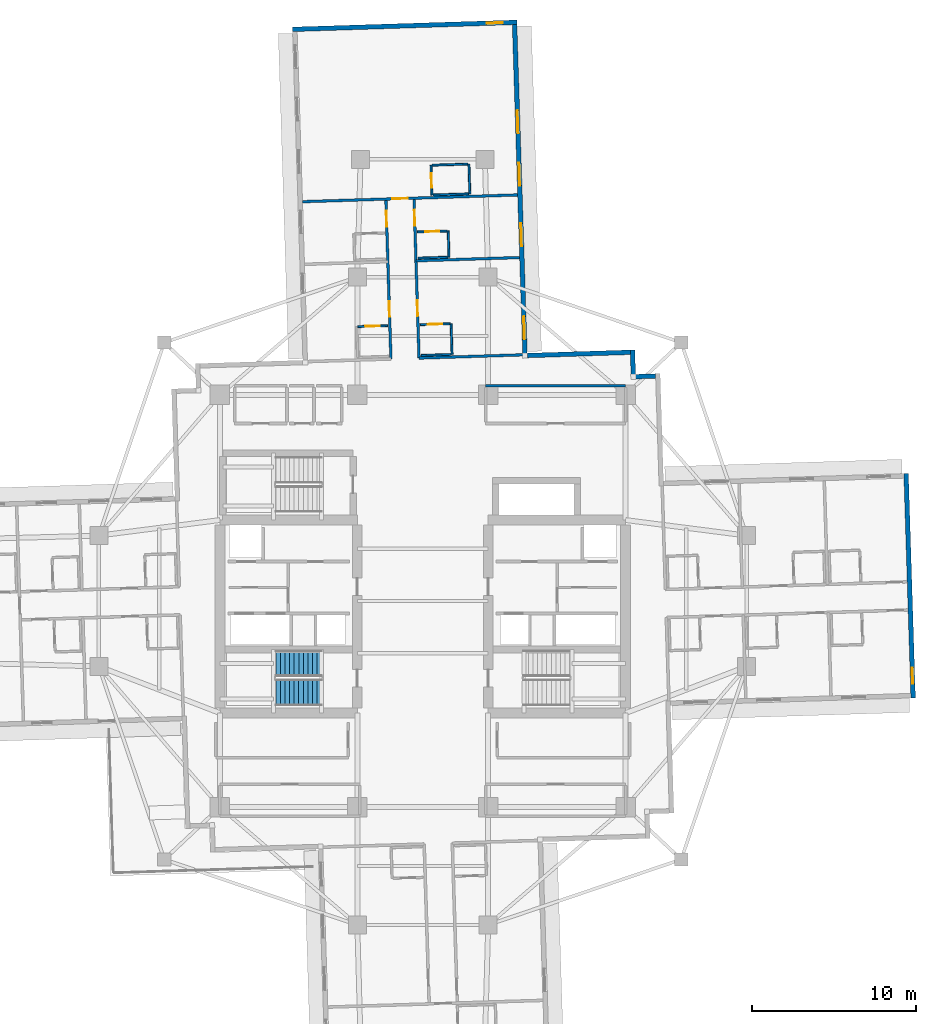
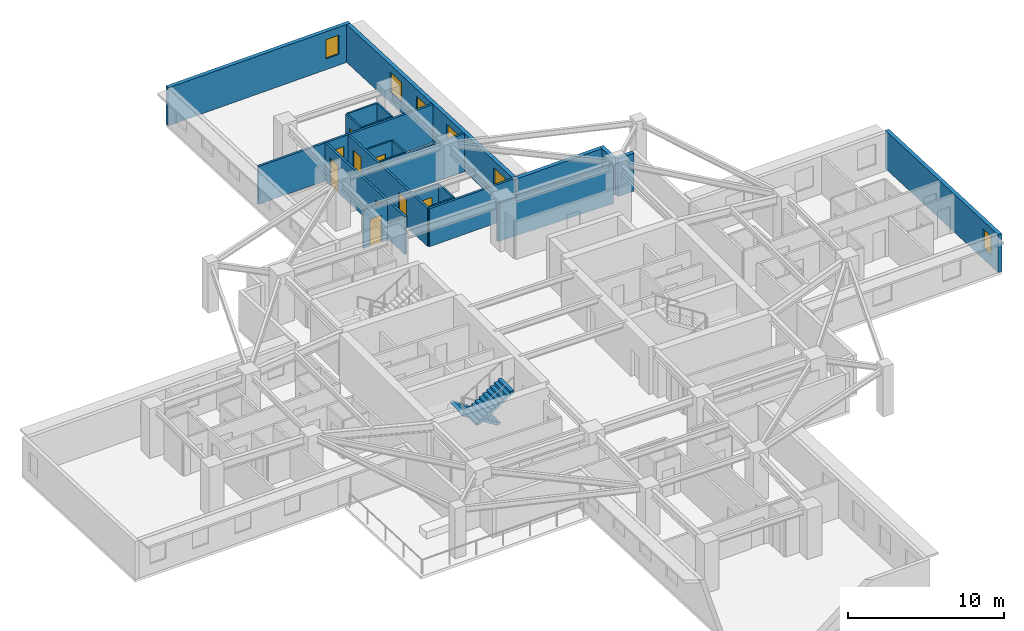
# One storey, part 8 of 14: 23 walls, 9 doors, 6 windows, 2 stair flights, 15 openings, 1 element without a shape of its own.
"""IFC4 building model written with IfcOpenShell, lengths in metres."""

import ifcopenshell
import ifcopenshell.guid

model = None  # the IFC model being written
_history = None  # IfcOwnerHistory: only IFC2X3 demands one
_inside = {}  # id of a spatial element -> (the spatial element, [elements in it])
_under = {}  # id of a project, library or spatial element -> (it, [spatial elements below it])
_declared = {}  # id of a project -> (the project, [libraries it declares])
_typed = {}  # id of a type object -> (the type object, [elements of that type])
_made_of = {}  # id of a material, layer set ... -> (it, [elements and type objects made of it])


def new_model(schema):
    """Start an empty IFC model of exactly this schema.

    Asked for "IFC4X3", IfcOpenShell would pick the latest addendum, in which some entities
    have other attributes; the version numbers below select the first issue.
    IFC2X3 requires an IfcOwnerHistory on every rooted entity: one is made here for all.
    """
    global model, _history
    if schema == "IFC4X3":
        model = ifcopenshell.file(schema_version=(4, 3, 0, 0))
    else:
        model = ifcopenshell.file(schema=schema)
    _inside.clear()
    _under.clear()
    _declared.clear()
    _typed.clear()
    _made_of.clear()
    _history = None
    if model.schema == "IFC2X3":
        org = make("IfcOrganization", Name="unknown")
        user = make(
            "IfcPersonAndOrganization",
            ThePerson=make("IfcPerson", FamilyName="unknown"),
            TheOrganization=org,
        )
        app = make(
            "IfcApplication",
            ApplicationDeveloper=org,
            Version="unknown",
            ApplicationFullName="unknown",
            ApplicationIdentifier="unknown",
        )
        _history = make(
            "IfcOwnerHistory",
            OwningUser=user,
            OwningApplication=app,
            ChangeAction="ADDED",
            CreationDate=0,
        )
    return model


def make(cls, **values):
    """One entity of the class cls with the attributes given. An attribute that is None is left unset."""
    return model.create_entity(
        cls, **{name: value for name, value in values.items() if value is not None}
    )


def rooted(cls, **values):
    """An entity with a GlobalId (a new one), such as an element, a storey or a relation."""
    return make(cls, GlobalId=ifcopenshell.guid.new(), OwnerHistory=_history, **values)


def si_unit(unit_type, name, prefix=None):
    """IfcSIUnit, for example si_unit("LENGTHUNIT", "METRE", prefix="MILLI")."""
    return make("IfcSIUnit", UnitType=unit_type, Prefix=prefix, Name=name)


def assignment(units):
    """IfcUnitAssignment: the units of a project."""
    return None if units is None else make("IfcUnitAssignment", Units=units)


def point(xyz):
    """IfcCartesianPoint."""
    return None if xyz is None else make("IfcCartesianPoint", Coordinates=xyz)


def direction(xyz):
    """IfcDirection."""
    return None if xyz is None else make("IfcDirection", DirectionRatios=xyz)


def frame(location, z_axis=None, x_axis=None):
    """IfcAxis2Placement3D, a coordinate frame: its origin and axes. An axis left out is left unset."""
    return make(
        "IfcAxis2Placement3D",
        Location=point(location),
        Axis=direction(z_axis),
        RefDirection=direction(x_axis),
    )


def frame_2d(location, x_axis=None):
    """IfcAxis2Placement2D, a coordinate frame in the plane: its origin and x axis."""
    return make(
        "IfcAxis2Placement2D", Location=point(location), RefDirection=direction(x_axis)
    )


def origin():
    """The frame at (0, 0, 0) with its axes left unset."""
    return frame((0.0, 0.0, 0.0))


def place(relative_to, where):
    """IfcLocalPlacement: puts the frame where relative to a parent placement (None: the world)."""
    return make(
        "IfcLocalPlacement", PlacementRelTo=relative_to, RelativePlacement=where
    )


def context(
    kind, dimensions, precision=None, world=None, true_north=None, identifier=None
):
    """IfcGeometricRepresentationContext, for example the 3D "Model" context."""
    return make(
        "IfcGeometricRepresentationContext",
        ContextIdentifier=identifier,
        ContextType=kind,
        CoordinateSpaceDimension=dimensions,
        Precision=precision,
        WorldCoordinateSystem=world,
        TrueNorth=true_north,
    )


def subcontext(parent, identifier, kind, view, scale=None):
    """IfcGeometricRepresentationSubContext, for example "Body" below "Model"."""
    return make(
        "IfcGeometricRepresentationSubContext",
        ContextIdentifier=identifier,
        ContextType=kind,
        ParentContext=parent,
        TargetScale=scale,
        TargetView=view,
    )


def project(units=None, contexts=None):
    """IfcProject with its units and contexts."""
    return rooted(
        "IfcProject",
        Name="project",
        RepresentationContexts=contexts,
        UnitsInContext=assignment(units),
    )


def spatial(cls, under=None, at=None, **own):
    """A site, building, storey or space (cls), placed at a placement, below another one or the project."""
    s = rooted(cls, ObjectPlacement=at, **own)
    if under is not None:
        _under.setdefault(under.id(), (under, []))[1].append(s)
    return s


def polyline(points):
    """IfcPolyline through the points."""
    return make("IfcPolyline", Points=[point(p) for p in points])


def profile(cls, at=None, kind="AREA", **sizes):
    """A parametric profile (cls). Its sizes go by their IFC names, for example OverallWidth=200.0."""
    return make(cls, ProfileType=kind, Position=at, **sizes)


def rectangle(**sizes):
    """IfcRectangleProfileDef."""
    return profile("IfcRectangleProfileDef", **sizes)


def outline(outer, holes=None, kind="AREA"):
    """IfcArbitraryClosedProfileDef: a profile drawn as a closed curve; with holes, ...WithVoids."""
    if holes is None:
        return make("IfcArbitraryClosedProfileDef", ProfileType=kind, OuterCurve=outer)
    return make(
        "IfcArbitraryProfileDefWithVoids",
        ProfileType=kind,
        OuterCurve=outer,
        InnerCurves=holes,
    )


def extrude(swept, where, along, depth):
    """IfcExtrudedAreaSolid: the profile swept, set in the frame where, extruded along a direction by depth."""
    return make(
        "IfcExtrudedAreaSolid",
        SweptArea=swept,
        Position=where,
        ExtrudedDirection=direction(along),
        Depth=depth,
    )


def shape(context_of_items, identifier, shape_type, items):
    """IfcShapeRepresentation: the items that make up one representation, for example the "Body"."""
    return make(
        "IfcShapeRepresentation",
        ContextOfItems=context_of_items,
        RepresentationIdentifier=identifier,
        RepresentationType=shape_type,
        Items=items,
    )


def material(Name=None, Category=None):
    """IfcMaterial."""
    return make("IfcMaterial", Name=Name, Category=Category)


def layer(
    of_material, thickness, ventilated=None, Name=None, Category=None, Priority=None
):
    """IfcMaterialLayer: one layer of a wall or slab, of a material (None: an air gap)."""
    return make(
        "IfcMaterialLayer",
        Material=of_material,
        LayerThickness=thickness,
        IsVentilated=ventilated,
        Name=Name,
        Category=Category,
        Priority=Priority,
    )


def layer_set(layers, Name=None):
    """IfcMaterialLayerSet."""
    return make("IfcMaterialLayerSet", MaterialLayers=layers, LayerSetName=Name)


def made_of(thing, what):
    """Note that an element or type object is made of a material, layer set ...; save() writes the relation."""
    if what is not None:
        _made_of.setdefault(what.id(), (what, []))[1].append(thing)
    return thing


def type_object(cls, material=None, **own):
    """A type object (cls), such as IfcWallType, which elements share."""
    return made_of(rooted(cls, **own), material)


def element(
    cls,
    number,
    at=None,
    inside=None,
    cuts=None,
    type_object=None,
    material=None,
    context=None,
    identifier="Body",
    shape_type=None,
    held_by="IfcProductDefinitionShape",
    body=None,
    shapes=None,
    **own,
):
    """One element of the class cls, such as IfcWall. Its Tag is "e" and its number.

    at: its placement. inside: the storey or other place that contains it. cuts: it is an
    opening in that element (IfcRelVoidsElement). A single representation is given by context,
    identifier, shape_type and body (its items); several are given by shapes. held_by: the class
    of the entity that holds the representations. save() writes the other relations.
    """
    e = rooted(cls, Tag="e%d" % number, ObjectPlacement=at, **own)
    if body is not None:
        shapes = [shape(context, identifier, shape_type, body)]
    if shapes is not None:
        e.Representation = make(held_by, Representations=shapes)
    if inside is not None:
        _inside.setdefault(inside.id(), (inside, []))[1].append(e)
    if cuts is not None:
        rooted(
            "IfcRelVoidsElement", RelatingBuildingElement=cuts, RelatedOpeningElement=e
        )
    if type_object is not None:
        _typed.setdefault(type_object.id(), (type_object, []))[1].append(e)
    return made_of(e, material)


def fill(opening, filler):
    """IfcRelFillsElement: the door or window that sits in an opening."""
    return rooted(
        "IfcRelFillsElement",
        RelatingOpeningElement=opening,
        RelatedBuildingElement=filler,
    )


def aggregate(whole, parts):
    """IfcRelAggregates: a whole, such as a stair, and the parts it consists of."""
    return rooted("IfcRelAggregates", RelatingObject=whole, RelatedObjects=parts)


def save(model, path):
    """Write the relations noted so far, then the file.

    IfcRelAggregates (storeys below a building ...), IfcRelContainedInSpatialStructure (elements
    in a storey), IfcRelDefinesByType, IfcRelAssociatesMaterial and IfcRelDeclares: one each for
    every whole, place, type object, material and project.
    """
    for whole, parts in _under.values():
        aggregate(whole, parts)
    for where, things in _inside.values():
        rooted(
            "IfcRelContainedInSpatialStructure",
            RelatedElements=things,
            RelatingStructure=where,
        )
    for kind, things in _typed.values():
        rooted("IfcRelDefinesByType", RelatedObjects=things, RelatingType=kind)
    for what, things in _made_of.values():
        rooted("IfcRelAssociatesMaterial", RelatedObjects=things, RelatingMaterial=what)
    for by, libraries in _declared.values():
        rooted("IfcRelDeclares", RelatingContext=by, RelatedDefinitions=libraries)
    model.write(path)


model = new_model("IFC4")

# Units and contexts
model_context = context("Model", 3, precision=1e-05, world=origin(), true_north=direction((0.0, 1.0)))
body_context = subcontext(model_context, "Body", "Model", "MODEL_VIEW")
ifc_project = project(units=[si_unit("LENGTHUNIT", "METRE"), si_unit("AREAUNIT", "SQUARE_METRE"), si_unit("VOLUMEUNIT", "CUBIC_METRE"), si_unit("PLANEANGLEUNIT", "RADIAN"), si_unit("MASSUNIT", "GRAM", prefix="KILO")], contexts=[model_context])

# Site, building, storey
site_placement = place(None, origin())
site = spatial("IfcSite", under=ifc_project, at=site_placement, CompositionType="ELEMENT")
building_placement = place(site_placement, origin())
building = spatial("IfcBuilding", under=site, at=building_placement, Name="Qingluan Cross Belvedere", CompositionType="ELEMENT")
storey_placement = place(building_placement, frame((0.0, 0.0, 112.5)))
storey = spatial("IfcBuildingStorey", under=building, at=storey_placement, Name="L28", CompositionType="ELEMENT", Elevation=112.5)

# Wall
ifc_material_1 = material(Name="Gypsum plasterboard on steel stud acoustic partition", Category="steel")
ifc_layer_1 = layer(ifc_material_1, 0.159912109375, Name="CorridorPartition_160")
ifc_layer_set_1 = layer_set([ifc_layer_1], Name="Gypsum plasterboard on steel stud acoustic partition")
wall_type_1 = type_object("IfcWallType", Name="CorridorPartition_160", PredefinedType="PARTITIONING", material=ifc_layer_set_1)
wall_1_placement = place(storey_placement, frame((3.85009765625, 13.14990234375, 0.0), z_axis=(0.0, 0.0, 1.0), x_axis=(1.0, 0.0, 0.0)))
element("IfcWall", 1, at=wall_1_placement, inside=storey, type_object=wall_type_1, Name="Partition L28:q_ne:N", PredefinedType="PARTITIONING", context=body_context, shape_type="SweptSolid", body=[
    extrude(rectangle(XDim=8.5498046875, YDim=0.159912109375, at=frame_2d((4.27490234375, 0.0))), origin(), (0.0, 0.0, 1.0), 2.9599609375),
])

# Wall, openings, doors
wall_2_placement = place(storey_placement, frame((-0.2265625, 14.85009765625, 0.0), z_axis=(0.0, 0.0, 1.0), x_axis=(-0.031410762168, 0.999506560269, 0.0)))
wall_2 = element("IfcWall", 2, at=wall_2_placement, inside=storey, type_object=wall_type_1, Name="Partition L28:N:c0", PredefinedType="PARTITIONING", context=body_context, shape_type="SweptSolid", body=[
    extrude(rectangle(XDim=9.7001953125, YDim=0.159912109375, at=frame_2d((4.85009765625, 0.0))), origin(), (0.0, 0.0, 1.0), 2.9599609375),
])
opening_1_placement = place(wall_2_placement, frame((2.574951171875, 0.0, 0.0)))
opening_1 = element("IfcOpeningElement", 3, at=opening_1_placement, cuts=wall_2, Name="Opening GD-10", PredefinedType="OPENING", context=body_context, shape_type="SweptSolid", body=[
    extrude(rectangle(XDim=0.9599609375, YDim=2.14990234375, at=frame_2d((0.47998046875, 1.074951171875))), frame((0.0, 0.08984375, 0.0), z_axis=(0.0, -1.0, 0.0), x_axis=(1.0, 0.0, 0.0)), (0.0, 0.0, 1.0), 0.179931640625),
])
opening_2_placement = place(wall_2_placement, frame((8.096923828125, 0.0, 0.0)))
opening_2 = element("IfcOpeningElement", 4, at=opening_2_placement, cuts=wall_2, Name="Opening GD-10", PredefinedType="OPENING", context=body_context, shape_type="SweptSolid", body=[
    extrude(rectangle(XDim=0.9599609375, YDim=2.14990234375, at=frame_2d((0.47998046875, 1.074951171875))), frame((0.0, 0.08984375, 0.0), z_axis=(0.0, -1.0, 0.0), x_axis=(1.0, 0.0, 0.0)), (0.0, 0.0, 1.0), 0.179931640625),
])
ifc_material_2 = material(Name="Timber oak fire-rated acoustic guestroom door", Category="wood")
door_type_1 = type_object("IfcDoorType", Name="GuestEntryDoor_FD60", OperationType="NOTDEFINED", PredefinedType="DOOR", material=ifc_material_2)
door_1_placement = place(opening_1_placement, origin())
door_1 = element("IfcDoor", 5, at=door_1_placement, inside=storey, type_object=door_type_1, Name="Guest entry fire door 2811", OperationType="SINGLE_SWING_RIGHT", OverallHeight=2.14990234375, OverallWidth=0.9599609375, PredefinedType="DOOR", context=body_context, shape_type="SweptSolid", body=[
    extrude(rectangle(XDim=0.9599609375, YDim=2.14990234375, at=frame_2d((0.47998046875, 1.074951171875))), frame((0.0, 0.02490234375, 0.0), z_axis=(0.0, -1.0, 0.0), x_axis=(1.0, 0.0, 0.0)), (0.0, 0.0, 1.0), 0.050048828125),
])
fill(opening_1, door_1)
door_2_placement = place(opening_2_placement, origin())
door_2 = element("IfcDoor", 6, at=door_2_placement, inside=storey, type_object=door_type_1, Name="Guest entry fire door 2812", OperationType="SINGLE_SWING_RIGHT", OverallHeight=2.14990234375, OverallWidth=0.9599609375, PredefinedType="DOOR", context=body_context, shape_type="SweptSolid", body=[
    extrude(rectangle(XDim=0.9599609375, YDim=2.14990234375, at=frame_2d((0.47998046875, 1.074951171875))), frame((0.0, 0.02490234375, 0.0), z_axis=(0.0, -1.0, 0.0), x_axis=(1.0, 0.0, 0.0)), (0.0, 0.0, 1.0), 0.050048828125),
])
fill(opening_2, door_2)

# Walls
wall_3_placement = place(storey_placement, frame((-0.2265625, 14.85009765625, 0.0), z_axis=(0.0, 0.0, 1.0), x_axis=(0.999506214218, 0.031421771746, 0.0)))
element("IfcWall", 7, at=wall_3_placement, inside=storey, type_object=wall_type_1, Name="Partition L28:N:s0", PredefinedType="PARTITIONING", context=body_context, shape_type="SweptSolid", body=[
    extrude(rectangle(XDim=6.47998046875, YDim=0.159912109375, at=frame_2d((3.239990234375, 0.0))), origin(), (0.0, 0.0, 1.0), 2.9599609375),
])
wall_4_placement = place(storey_placement, frame((-0.41357421875, 20.79736328125, 0.0), z_axis=(0.0, 0.0, 1.0), x_axis=(0.999507362715, 0.0313852175, 0.0)))
element("IfcWall", 8, at=wall_4_placement, inside=storey, type_object=wall_type_1, Name="Partition L28:N:d0_0", PredefinedType="PARTITIONING", context=body_context, shape_type="SweptSolid", body=[
    extrude(rectangle(XDim=6.33203125, YDim=0.159912109375, at=frame_2d((3.166015625, 0.0))), origin(), (0.0, 0.0, 1.0), 2.9599609375),
])

# Wall, openings, doors
wall_5_placement = place(storey_placement, frame((-1.94580078125, 14.796142578125, 0.0), z_axis=(0.0, 0.0, 1.0), x_axis=(-0.031410762168, 0.999506560269, 0.0)))
wall_5 = element("IfcWall", 9, at=wall_5_placement, inside=storey, type_object=wall_type_1, Name="Partition L28:N:c1", PredefinedType="PARTITIONING", context=body_context, shape_type="SweptSolid", body=[
    extrude(rectangle(XDim=9.7001953125, YDim=0.159912109375, at=frame_2d((4.85009765625, 0.0))), origin(), (0.0, 0.0, 1.0), 2.9599609375),
])
opening_3_placement = place(wall_5_placement, frame((2.574951171875, 0.0, 0.0)))
opening_3 = element("IfcOpeningElement", 10, at=opening_3_placement, cuts=wall_5, Name="Opening GD-10", PredefinedType="OPENING", context=body_context, shape_type="SweptSolid", body=[
    extrude(rectangle(XDim=0.9599609375, YDim=2.14990234375, at=frame_2d((0.47998046875, 1.074951171875))), frame((0.0, 0.08984375, 0.0), z_axis=(0.0, -1.0, 0.0), x_axis=(1.0, 0.0, 0.0)), (0.0, 0.0, 1.0), 0.179931640625),
])
opening_4_placement = place(wall_5_placement, frame((8.096923828125, 0.0, 0.0)))
opening_4 = element("IfcOpeningElement", 11, at=opening_4_placement, cuts=wall_5, Name="Opening GD-10", PredefinedType="OPENING", context=body_context, shape_type="SweptSolid", body=[
    extrude(rectangle(XDim=0.9599609375, YDim=2.14990234375, at=frame_2d((0.47998046875, 1.074951171875))), frame((0.0, 0.08984375, 0.0), z_axis=(0.0, -1.0, 0.0), x_axis=(1.0, 0.0, 0.0)), (0.0, 0.0, 1.0), 0.179931640625),
])
door_3_placement = place(opening_3_placement, origin())
door_3 = element("IfcDoor", 12, at=door_3_placement, inside=storey, type_object=door_type_1, Name="Guest entry fire door 2813", OperationType="SINGLE_SWING_RIGHT", OverallHeight=2.14990234375, OverallWidth=0.9599609375, PredefinedType="DOOR", context=body_context, shape_type="SweptSolid", body=[
    extrude(rectangle(XDim=0.9599609375, YDim=2.14990234375, at=frame_2d((0.47998046875, 1.074951171875))), frame((0.0, 0.02490234375, 0.0), z_axis=(0.0, -1.0, 0.0), x_axis=(1.0, 0.0, 0.0)), (0.0, 0.0, 1.0), 0.050048828125),
])
fill(opening_3, door_3)
door_4_placement = place(opening_4_placement, origin())
door_4 = element("IfcDoor", 13, at=door_4_placement, inside=storey, type_object=door_type_1, Name="Guest entry fire door 2814", OperationType="SINGLE_SWING_RIGHT", OverallHeight=2.14990234375, OverallWidth=0.9599609375, PredefinedType="DOOR", context=body_context, shape_type="SweptSolid", body=[
    extrude(rectangle(XDim=0.9599609375, YDim=2.14990234375, at=frame_2d((0.47998046875, 1.074951171875))), frame((0.0, 0.02490234375, 0.0), z_axis=(0.0, -1.0, 0.0), x_axis=(1.0, 0.0, 0.0)), (0.0, 0.0, 1.0), 0.050048828125),
])
fill(opening_4, door_4)

# Wall, opening, door
wall_6_placement = place(storey_placement, frame((-7.34228515625, 24.411376953125, 0.0), z_axis=(0.0, 0.0, 1.0), x_axis=(0.999506606318, 0.031409296822, 0.0)))
wall_6 = element("IfcWall", 14, at=wall_6_placement, inside=storey, type_object=wall_type_1, Name="Partition L28:Ncap:in", PredefinedType="PARTITIONING", context=body_context, shape_type="SweptSolid", body=[
    extrude(rectangle(XDim=13.14404296875, YDim=0.159912109375, at=frame_2d((6.572021484375, 0.0))), origin(), (0.0, 0.0, 1.0), 2.9599609375),
])
opening_5_placement = place(wall_6_placement, frame((5.471923828125, 0.0, 0.0)))
opening_5 = element("IfcOpeningElement", 15, at=opening_5_placement, cuts=wall_6, Name="Opening GD-10", PredefinedType="OPENING", context=body_context, shape_type="SweptSolid", body=[
    extrude(rectangle(XDim=0.9599609375, YDim=2.14990234375, at=frame_2d((0.47998046875, 1.074951171875))), frame((0.0, 0.08984375, 0.0), z_axis=(0.0, -1.0, 0.0), x_axis=(1.0, 0.0, 0.0)), (0.0, 0.0, 1.0), 0.179931640625),
])
door_5_placement = place(opening_5_placement, origin())
door_5 = element("IfcDoor", 16, at=door_5_placement, inside=storey, type_object=door_type_1, Name="Presidential suite entrance door L28N", OperationType="SINGLE_SWING_LEFT", OverallHeight=2.14990234375, OverallWidth=0.9599609375, PredefinedType="DOOR", context=body_context, shape_type="SweptSolid", body=[
    extrude(rectangle(XDim=0.9599609375, YDim=2.14990234375, at=frame_2d((0.47998046875, 1.074951171875))), frame((0.0, 0.02490234375, 0.0), z_axis=(0.0, -1.0, 0.0), x_axis=(1.0, 0.0, 0.0)), (0.0, 0.0, 1.0), 0.050048828125),
])
fill(opening_5, door_5)

ifc_material_3 = material(Name="Moisture-resistant gypsum board lining")
ifc_layer_2 = layer(ifc_material_3, 0.1201171875, Name="EnsuiteWetPartition_120")
ifc_layer_set_2 = layer_set([ifc_layer_2], Name="Moisture-resistant gypsum board lining")
wall_type_2 = type_object("IfcWallType", Name="EnsuiteWetPartition_120", PredefinedType="PARTITIONING", material=ifc_layer_set_2)
wall_7_placement = place(storey_placement, frame((-0.150634765625, 16.8935546875, 0.0), z_axis=(0.0, 0.0, 1.0), x_axis=(0.999507221803, 0.031389704724, 0.0)))
wall_7 = element("IfcWall", 17, at=wall_7_placement, inside=storey, type_object=wall_type_2, Name="Partition L28:N:bs0_0", PredefinedType="PARTITIONING", context=body_context, shape_type="SweptSolid", body=[
    extrude(rectangle(XDim=1.820068359375, YDim=0.1201171875, at=frame_2d((0.91015625, 0.0))), origin(), (0.0, 0.0, 1.0), 2.9599609375),
])
opening_6_placement = place(wall_7_placement, frame((0.469970703125, 0.0, 0.0)))
opening_6 = element("IfcOpeningElement", 18, at=opening_6_placement, cuts=wall_7, Name="Opening BD-09", PredefinedType="OPENING", context=body_context, shape_type="SweptSolid", body=[
    extrude(rectangle(XDim=0.8798828125, YDim=2.10009765625, at=frame_2d((0.43994140625, 1.050048828125))), frame((0.0, 0.070068359375, 0.0), z_axis=(0.0, -1.0, 0.0), x_axis=(1.0, 0.0, 0.0)), (0.0, 0.0, 1.0), 0.14013671875),
])
ifc_material_4 = material(Name="Moisture-sealed timber en-suite door", Category="wood")
door_type_2 = type_object("IfcDoorType", Name="BathroomDoor_880", OperationType="NOTDEFINED", PredefinedType="DOOR", material=ifc_material_4)
door_6_placement = place(opening_6_placement, origin())
door_6 = element("IfcDoor", 19, at=door_6_placement, inside=storey, type_object=door_type_2, Name="Bathroom door 2811", OperationType="SINGLE_SWING_LEFT", OverallHeight=2.10009765625, OverallWidth=0.8798828125, PredefinedType="DOOR", context=body_context, shape_type="SweptSolid", body=[
    extrude(rectangle(XDim=0.8798828125, YDim=2.10009765625, at=frame_2d((0.43994140625, 1.050048828125))), frame((0.0, 0.02490234375, 0.0), z_axis=(0.0, -1.0, 0.0), x_axis=(1.0, 0.0, 0.0)), (0.0, 0.0, 1.0), 0.050048828125),
])
fill(opening_6, door_6)

# Walls
wall_8_placement = place(storey_placement, frame((-0.091796875, 15.014404296875, 0.0), z_axis=(0.0, 0.0, 1.0), x_axis=(0.999503004171, 0.03152371574, 0.0)))
element("IfcWall", 20, at=wall_8_placement, inside=storey, type_object=wall_type_2, Name="Partition L28:N:bw0_0", PredefinedType="PARTITIONING", context=body_context, shape_type="SweptSolid", body=[
    extrude(rectangle(XDim=1.820068359375, YDim=0.1201171875, at=frame_2d((0.91015625, 0.0))), origin(), (0.0, 0.0, 1.0), 2.9599609375),
])
wall_9_placement = place(storey_placement, frame((1.79248046875, 15.07373046875, 0.0), z_axis=(0.0, 0.0, 1.0), x_axis=(-0.031425292588, 0.999506103526, 0.0)))
element("IfcWall", 21, at=wall_9_placement, inside=storey, type_object=wall_type_2, Name="Partition L28:N:bn0_0", PredefinedType="PARTITIONING", context=body_context, shape_type="SweptSolid", body=[
    extrude(rectangle(XDim=1.880126953125, YDim=0.1201171875, at=frame_2d((0.93994140625, 0.0))), origin(), (0.0, 0.0, 1.0), 2.9599609375),
])

# Wall, opening, door
wall_10_placement = place(storey_placement, frame((-0.328857421875, 22.560791015625, 0.0), z_axis=(0.0, 0.0, 1.0), x_axis=(0.999507221803, 0.031389704724, 0.0)))
wall_10 = element("IfcWall", 22, at=wall_10_placement, inside=storey, type_object=wall_type_2, Name="Partition L28:N:bs0_1", PredefinedType="PARTITIONING", context=body_context, shape_type="SweptSolid", body=[
    extrude(rectangle(XDim=1.820068359375, YDim=0.1201171875, at=frame_2d((0.91015625, 0.0))), origin(), (0.0, 0.0, 1.0), 2.9599609375),
])
opening_7_placement = place(wall_10_placement, frame((0.469970703125, 0.0, 0.0)))
opening_7 = element("IfcOpeningElement", 23, at=opening_7_placement, cuts=wall_10, Name="Opening BD-09", PredefinedType="OPENING", context=body_context, shape_type="SweptSolid", body=[
    extrude(rectangle(XDim=0.8798828125, YDim=2.10009765625, at=frame_2d((0.43994140625, 1.050048828125))), frame((0.0, 0.070068359375, 0.0), z_axis=(0.0, -1.0, 0.0), x_axis=(1.0, 0.0, 0.0)), (0.0, 0.0, 1.0), 0.14013671875),
])
door_7_placement = place(opening_7_placement, origin())
door_7 = element("IfcDoor", 24, at=door_7_placement, inside=storey, type_object=door_type_2, Name="Bathroom door 2812", OperationType="SINGLE_SWING_LEFT", OverallHeight=2.10009765625, OverallWidth=0.8798828125, PredefinedType="DOOR", context=body_context, shape_type="SweptSolid", body=[
    extrude(rectangle(XDim=0.8798828125, YDim=2.10009765625, at=frame_2d((0.43994140625, 1.050048828125))), frame((0.0, 0.02490234375, 0.0), z_axis=(0.0, -1.0, 0.0), x_axis=(1.0, 0.0, 0.0)), (0.0, 0.0, 1.0), 0.050048828125),
])
fill(opening_7, door_7)

# Walls
wall_11_placement = place(storey_placement, frame((-0.278564453125, 20.961669921875, 0.0), z_axis=(0.0, 0.0, 1.0), x_axis=(0.999507221803, 0.031389704724, 0.0)))
element("IfcWall", 25, at=wall_11_placement, inside=storey, type_object=wall_type_2, Name="Partition L28:N:bw0_1", PredefinedType="PARTITIONING", context=body_context, shape_type="SweptSolid", body=[
    extrude(rectangle(XDim=1.820068359375, YDim=0.1201171875, at=frame_2d((0.91015625, 0.0))), origin(), (0.0, 0.0, 1.0), 2.9599609375),
])
wall_12_placement = place(storey_placement, frame((1.60546875, 21.020751953125, 0.0), z_axis=(0.0, 0.0, 1.0), x_axis=(-0.031277621856, 0.999510735496, 0.0)))
element("IfcWall", 26, at=wall_12_placement, inside=storey, type_object=wall_type_2, Name="Partition L28:N:bn0_1", PredefinedType="PARTITIONING", context=body_context, shape_type="SweptSolid", body=[
    extrude(rectangle(XDim=1.60009765625, YDim=0.1201171875, at=frame_2d((0.800048828125, 0.0))), origin(), (0.0, 0.0, 1.0), 2.9599609375),
])

# Wall, opening, door
wall_13_placement = place(storey_placement, frame((-3.96875, 16.773681640625, 0.0), z_axis=(0.0, 0.0, 1.0), x_axis=(0.999507221803, 0.031389704724, 0.0)))
wall_13 = element("IfcWall", 27, at=wall_13_placement, inside=storey, type_object=wall_type_2, Name="Partition L28:N:bs1_0", PredefinedType="PARTITIONING", context=body_context, shape_type="SweptSolid", body=[
    extrude(rectangle(XDim=1.820068359375, YDim=0.1201171875, at=frame_2d((0.91015625, 0.0))), origin(), (0.0, 0.0, 1.0), 2.9599609375),
])
opening_8_placement = place(wall_13_placement, frame((0.469970703125, 0.0, 0.0)))
opening_8 = element("IfcOpeningElement", 28, at=opening_8_placement, cuts=wall_13, Name="Opening BD-09", PredefinedType="OPENING", context=body_context, shape_type="SweptSolid", body=[
    extrude(rectangle(XDim=0.8798828125, YDim=2.10009765625, at=frame_2d((0.43994140625, 1.050048828125))), frame((0.0, 0.070068359375, 0.0), z_axis=(0.0, -1.0, 0.0), x_axis=(1.0, 0.0, 0.0)), (0.0, 0.0, 1.0), 0.14013671875),
])
door_8_placement = place(opening_8_placement, origin())
door_8 = element("IfcDoor", 29, at=door_8_placement, inside=storey, type_object=door_type_2, Name="Bathroom door 2813", OperationType="SINGLE_SWING_LEFT", OverallHeight=2.10009765625, OverallWidth=0.8798828125, PredefinedType="DOOR", context=body_context, shape_type="SweptSolid", body=[
    extrude(rectangle(XDim=0.8798828125, YDim=2.10009765625, at=frame_2d((0.43994140625, 1.050048828125))), frame((0.0, 0.02490234375, 0.0), z_axis=(0.0, -1.0, 0.0), x_axis=(1.0, 0.0, 0.0)), (0.0, 0.0, 1.0), 0.050048828125),
])
fill(opening_8, door_8)

wall_14_placement = place(storey_placement, frame((0.560791015625, 24.81982421875, 0.0), z_axis=(0.0, 0.0, 1.0), x_axis=(-0.03152371574, 0.999503004171, 0.0)))
wall_14 = element("IfcWall", 30, at=wall_14_placement, inside=storey, type_object=wall_type_2, Name="Partition L28:Ncap:bs", PredefinedType="PARTITIONING", context=body_context, shape_type="SweptSolid", body=[
    extrude(rectangle(XDim=1.820068359375, YDim=0.1201171875, at=frame_2d((0.91015625, 0.0))), origin(), (0.0, 0.0, 1.0), 2.9599609375),
])
opening_9_placement = place(wall_14_placement, frame((0.449951171875, 0.0, 0.0)))
opening_9 = element("IfcOpeningElement", 31, at=opening_9_placement, cuts=wall_14, Name="Opening BD-09", PredefinedType="OPENING", context=body_context, shape_type="SweptSolid", body=[
    extrude(rectangle(XDim=0.8798828125, YDim=2.10009765625, at=frame_2d((0.43994140625, 1.050048828125))), frame((0.0, 0.070068359375, 0.0), z_axis=(0.0, -1.0, 0.0), x_axis=(1.0, 0.0, 0.0)), (0.0, 0.0, 1.0), 0.14013671875),
])
door_9_placement = place(opening_9_placement, origin())
door_9 = element("IfcDoor", 32, at=door_9_placement, inside=storey, type_object=door_type_2, Name="En-suite bathroom door L28N", OperationType="SINGLE_SWING_RIGHT", OverallHeight=2.10009765625, OverallWidth=0.8798828125, PredefinedType="DOOR", context=body_context, shape_type="SweptSolid", body=[
    extrude(rectangle(XDim=0.8798828125, YDim=2.10009765625, at=frame_2d((0.43994140625, 1.050048828125))), frame((0.0, 0.02490234375, 0.0), z_axis=(0.0, -1.0, 0.0), x_axis=(1.0, 0.0, 0.0)), (0.0, 0.0, 1.0), 0.050048828125),
])
fill(opening_9, door_9)

# Walls
wall_15_placement = place(storey_placement, frame((2.87939453125, 24.892578125, 0.0), z_axis=(0.0, 0.0, 1.0), x_axis=(-0.031251501844, 0.999511552526, 0.0)))
element("IfcWall", 33, at=wall_15_placement, inside=storey, type_object=wall_type_2, Name="Partition L28:Ncap:bb", PredefinedType="PARTITIONING", context=body_context, shape_type="SweptSolid", body=[
    extrude(rectangle(XDim=1.8203125, YDim=0.1201171875, at=frame_2d((0.91015625, 0.0))), origin(), (0.0, 0.0, 1.0), 2.9599609375),
])
for number, where, z_axis, x_axis, name in (
    (34, (0.630615234375, 24.822021484375, 0.0), (0.0, 0.0, 1.0), (0.999508244557, 0.031357121398, 0.0), "Partition L28:Ncap:ba"),
    (35, (0.573486328125, 26.64111328125, 0.0), (0.0, 0.0, 1.0), (0.99950472836, 0.031469000411, 0.0), "Partition L28:Ncap:bn"),
):
    element("IfcWall", number, at=place(storey_placement, frame(where, z_axis=z_axis, x_axis=x_axis)), inside=storey, type_object=wall_type_2, Name=name, PredefinedType="PARTITIONING", context=body_context, shape_type="SweptSolid", body=[
        extrude(rectangle(XDim=2.179931640625, YDim=0.1201171875, at=frame_2d((1.08984375, 0.0))), origin(), (0.0, 0.0, 1.0), 2.9599609375),
    ])

# Wall, opening, window
ifc_material_5 = material(Name="Precast concrete C45", Category="concrete")
ifc_layer_3 = layer(ifc_material_5, 0.280029296875, Name="PrecastFacadeWall_280")
ifc_layer_set_3 = layer_set([ifc_layer_3], Name="Precast concrete C45")
wall_type_3 = type_object("IfcWallType", Name="PrecastFacadeWall_280", PredefinedType="STANDARD", material=ifc_layer_set_3)
wall_16_placement = place(storey_placement, frame((29.980712890625, -5.921142578125, 0.0), z_axis=(0.0, 0.0, 1.0), x_axis=(-0.031407524763, 0.999506662003, 0.0)))
wall_16 = element("IfcWall", 36, at=wall_16_placement, inside=storey, type_object=wall_type_3, Name="Arm tip precast facade wall L28-E", PredefinedType="STANDARD", context=body_context, shape_type="SweptSolid", body=[
    extrude(rectangle(XDim=13.719970703125, YDim=0.280029296875, at=frame_2d((6.85986328125, 0.0))), origin(), (0.0, 0.0, 1.0), 2.969970703125),
])
opening_10_placement = place(wall_16_placement, frame((0.85009765625, 0.0, 0.85009765625)))
opening_10 = element("IfcOpeningElement", 37, at=opening_10_placement, cuts=wall_16, Name="Opening W-03", PredefinedType="OPENING", context=body_context, shape_type="SweptSolid", body=[
    extrude(rectangle(XDim=1.0, YDim=1.5, at=frame_2d((0.5, 0.75))), frame((0.0, 0.14990234375, 0.0), z_axis=(0.0, -1.0, 0.0), x_axis=(1.0, 0.0, 0.0)), (0.0, 0.0, 1.0), 0.300048828125),
])
ifc_material_6 = material(Name="Thermally broken triple Low-E glass in aluminium frame", Category="aluminium")
window_type_1 = type_object("IfcWindowType", Name="TriApexWin_1000x1500", PartitioningType="SINGLE_PANEL", PredefinedType="WINDOW", material=ifc_material_6)
window_1_placement = place(opening_10_placement, origin())
window_1 = element("IfcWindow", 38, at=window_1_placement, inside=storey, type_object=window_type_1, Name="Arm tip triangular window L28-E", OverallHeight=1.5, OverallWidth=1.0, PartitioningType="SINGLE_PANEL", PredefinedType="WINDOW", context=body_context, shape_type="SweptSolid", body=[
    extrude(rectangle(XDim=1.0, YDim=1.5, at=frame_2d((0.5, 0.75))), frame((0.0, 0.030029296875, 0.0), z_axis=(0.0, -1.0, 0.0), x_axis=(1.0, 0.0, 0.0)), (0.0, 0.0, 1.0), 0.06005859375),
])
fill(opening_10, window_1)

# Wall, openings, windows
wall_17_placement = place(storey_placement, frame((6.247314453125, 15.143798828125, 0.0), z_axis=(0.0, 0.0, 1.0), x_axis=(-0.031398187845, 0.999506955354, 0.0)))
wall_17 = element("IfcWall", 39, at=wall_17_placement, inside=storey, type_object=wall_type_3, Name="Facade wall L28-NA", PredefinedType="STANDARD", context=body_context, shape_type="SweptSolid", body=[
    extrude(rectangle(XDim=20.10009765625, YDim=0.280029296875, at=frame_2d((10.050048828125, 0.0))), origin(), (0.0, 0.0, 1.0), 2.969970703125),
])
opening_11_placement = place(wall_17_placement, frame((0.85009765625, 0.0, 0.800048828125)))
opening_11 = element("IfcOpeningElement", 40, at=opening_11_placement, cuts=wall_17, Name="Opening W-01", PredefinedType="OPENING", context=body_context, shape_type="SweptSolid", body=[
    extrude(rectangle(XDim=1.39990234375, YDim=1.60009765625, at=frame_2d((0.699951171875, 0.800048828125))), frame((0.0, 0.14990234375, 0.0), z_axis=(0.0, -1.0, 0.0), x_axis=(1.0, 0.0, 0.0)), (0.0, 0.0, 1.0), 0.300048828125),
])
opening_12_placement = place(wall_17_placement, frame((6.550048828125, 0.0, 0.800048828125)))
opening_12 = element("IfcOpeningElement", 41, at=opening_12_placement, cuts=wall_17, Name="Opening W-01", PredefinedType="OPENING", context=body_context, shape_type="SweptSolid", body=[
    extrude(rectangle(XDim=1.39990234375, YDim=1.60009765625, at=frame_2d((0.699951171875, 0.800048828125))), frame((0.0, 0.14990234375, 0.0), z_axis=(0.0, -1.0, 0.0), x_axis=(1.0, 0.0, 0.0)), (0.0, 0.0, 1.0), 0.300048828125),
])
opening_13_placement = place(wall_17_placement, frame((10.25, 0.0, 0.800048828125)))
opening_13 = element("IfcOpeningElement", 42, at=opening_13_placement, cuts=wall_17, Name="Opening W-01", PredefinedType="OPENING", context=body_context, shape_type="SweptSolid", body=[
    extrude(rectangle(XDim=1.39990234375, YDim=1.60009765625, at=frame_2d((0.699951171875, 0.800048828125))), frame((0.0, 0.14990234375, 0.0), z_axis=(0.0, -1.0, 0.0), x_axis=(1.0, 0.0, 0.0)), (0.0, 0.0, 1.0), 0.300048828125),
])
opening_14_placement = place(wall_17_placement, frame((13.449951171875, 0.0, 0.800048828125)))
opening_14 = element("IfcOpeningElement", 43, at=opening_14_placement, cuts=wall_17, Name="Opening W-01", PredefinedType="OPENING", context=body_context, shape_type="SweptSolid", body=[
    extrude(rectangle(XDim=1.39990234375, YDim=1.60009765625, at=frame_2d((0.699951171875, 0.800048828125))), frame((0.0, 0.14990234375, 0.0), z_axis=(0.0, -1.0, 0.0), x_axis=(1.0, 0.0, 0.0)), (0.0, 0.0, 1.0), 0.300048828125),
])
ifc_material_7 = material(Name="Thermally broken triple Low-E glass in aluminium frame", Category="aluminium")
window_type_2 = type_object("IfcWindowType", Name="TriRibbonWin_1400x1600", PartitioningType="SINGLE_PANEL", PredefinedType="WINDOW", material=ifc_material_7)
window_2_placement = place(opening_11_placement, origin())
window_2 = element("IfcWindow", 44, at=window_2_placement, inside=storey, type_object=window_type_2, Name="Ribbon window L28-NA-1", OverallHeight=1.60009765625, OverallWidth=1.39990234375, PartitioningType="SINGLE_PANEL", PredefinedType="WINDOW", context=body_context, shape_type="SweptSolid", body=[
    extrude(rectangle(XDim=1.39990234375, YDim=1.60009765625, at=frame_2d((0.699951171875, 0.800048828125))), frame((0.0, 0.030029296875, 0.0), z_axis=(0.0, -1.0, 0.0), x_axis=(1.0, 0.0, 0.0)), (0.0, 0.0, 1.0), 0.06005859375),
])
fill(opening_11, window_2)
window_3_placement = place(opening_12_placement, origin())
window_3 = element("IfcWindow", 45, at=window_3_placement, inside=storey, type_object=window_type_2, Name="Ribbon window L28-NA-2", OverallHeight=1.60009765625, OverallWidth=1.39990234375, PartitioningType="SINGLE_PANEL", PredefinedType="WINDOW", context=body_context, shape_type="SweptSolid", body=[
    extrude(rectangle(XDim=1.39990234375, YDim=1.60009765625, at=frame_2d((0.699951171875, 0.800048828125))), frame((0.0, 0.030029296875, 0.0), z_axis=(0.0, -1.0, 0.0), x_axis=(1.0, 0.0, 0.0)), (0.0, 0.0, 1.0), 0.06005859375),
])
fill(opening_12, window_3)
window_4_placement = place(opening_13_placement, origin())
window_4 = element("IfcWindow", 46, at=window_4_placement, inside=storey, type_object=window_type_2, Name="Ribbon window L28-NA-3", OverallHeight=1.60009765625, OverallWidth=1.39990234375, PartitioningType="SINGLE_PANEL", PredefinedType="WINDOW", context=body_context, shape_type="SweptSolid", body=[
    extrude(rectangle(XDim=1.39990234375, YDim=1.60009765625, at=frame_2d((0.699951171875, 0.800048828125))), frame((0.0, 0.030029296875, 0.0), z_axis=(0.0, -1.0, 0.0), x_axis=(1.0, 0.0, 0.0)), (0.0, 0.0, 1.0), 0.06005859375),
])
fill(opening_13, window_4)
window_5_placement = place(opening_14_placement, origin())
window_5 = element("IfcWindow", 47, at=window_5_placement, inside=storey, type_object=window_type_2, Name="Ribbon window L28-NA-4", OverallHeight=1.60009765625, OverallWidth=1.39990234375, PartitioningType="SINGLE_PANEL", PredefinedType="WINDOW", context=body_context, shape_type="SweptSolid", body=[
    extrude(rectangle(XDim=1.39990234375, YDim=1.60009765625, at=frame_2d((0.699951171875, 0.800048828125))), frame((0.0, 0.030029296875, 0.0), z_axis=(0.0, -1.0, 0.0), x_axis=(1.0, 0.0, 0.0)), (0.0, 0.0, 1.0), 0.06005859375),
])
fill(opening_14, window_5)

# Wall, opening, window
wall_18_placement = place(storey_placement, frame((5.751708984375, 35.378173828125, 0.0), z_axis=(0.0, 0.0, 1.0), x_axis=(-0.999506679556, -0.031406966164, 0.0)))
wall_18 = element("IfcWall", 48, at=wall_18_placement, inside=storey, type_object=wall_type_3, Name="Arm tip precast facade wall L28-N", PredefinedType="STANDARD", context=body_context, shape_type="SweptSolid", body=[
    extrude(rectangle(XDim=13.72021484375, YDim=0.280029296875, at=frame_2d((6.860107421875, 0.0))), origin(), (0.0, 0.0, 1.0), 2.969970703125),
])
opening_15_placement = place(wall_18_placement, frame((0.85009765625, 0.0, 0.85009765625)))
opening_15 = element("IfcOpeningElement", 49, at=opening_15_placement, cuts=wall_18, Name="Opening W-03", PredefinedType="OPENING", context=body_context, shape_type="SweptSolid", body=[
    extrude(rectangle(XDim=1.0, YDim=1.5, at=frame_2d((0.5, 0.75))), frame((0.0, 0.14990234375, 0.0), z_axis=(0.0, -1.0, 0.0), x_axis=(1.0, 0.0, 0.0)), (0.0, 0.0, 1.0), 0.300048828125),
])
window_6_placement = place(opening_15_placement, origin())
window_6 = element("IfcWindow", 50, at=window_6_placement, inside=storey, type_object=window_type_1, Name="Arm tip triangular window L28-N", OverallHeight=1.5, OverallWidth=1.0, PartitioningType="SINGLE_PANEL", PredefinedType="WINDOW", context=body_context, shape_type="SweptSolid", body=[
    extrude(rectangle(XDim=1.0, YDim=1.5, at=frame_2d((0.5, 0.75))), frame((0.0, 0.030029296875, 0.0), z_axis=(0.0, -1.0, 0.0), x_axis=(1.0, 0.0, 0.0)), (0.0, 0.0, 1.0), 0.06005859375),
])
fill(opening_15, window_6)

# Walls
wall_19_placement = place(storey_placement, frame((14.235107421875, 13.75390625, 0.0), z_axis=(0.0, 0.0, 1.0), x_axis=(-0.999506398264, -0.031415916822, 0.0)))
element("IfcWall", 51, at=wall_19_placement, inside=storey, type_object=wall_type_3, Name="Corner wall L28-NE2", PredefinedType="STANDARD", context=body_context, shape_type="SweptSolid", body=[
    extrude(rectangle(XDim=1.219970703125, YDim=0.280029296875, at=frame_2d((0.60986328125, 0.0))), origin(), (0.0, 0.0, 1.0), 2.969970703125),
])
wall_20_placement = place(storey_placement, frame((12.871337890625, 13.85107421875, 0.0), z_axis=(0.0, 0.0, 1.0), x_axis=(-0.031412596484, 0.999506502621, 0.0)))
element("IfcWall", 52, at=wall_20_placement, inside=storey, type_object=wall_type_3, Name="Corner wall L28-NE3", PredefinedType="STANDARD", context=body_context, shape_type="SweptSolid", body=[
    extrude(rectangle(XDim=1.5, YDim=0.280029296875, at=frame_2d((0.75, 0.0))), origin(), (0.0, 0.0, 1.0), 2.969970703125),
])
wall_21_placement = place(storey_placement, frame((12.688720703125, 15.2060546875, 0.0), z_axis=(0.0, 0.0, 1.0), x_axis=(-0.999507262922, -0.031388395416, 0.0)))
element("IfcWall", 53, at=wall_21_placement, inside=storey, type_object=wall_type_3, Name="Corner wall L28-NE4", PredefinedType="STANDARD", context=body_context, shape_type="SweptSolid", body=[
    extrude(rectangle(XDim=6.30029296875, YDim=0.280029296875, at=frame_2d((3.150146484375, 0.0))), origin(), (0.0, 0.0, 1.0), 2.969970703125),
])

# Stair, stair flights
ifc_material_8 = material(Name="Concrete C40", Category="concrete")
stair_type = type_object("IfcStairType", Name="CoreDoglegStair_1620", PredefinedType="HALF_TURN_STAIR", material=ifc_material_8)
stair_placement = place(storey_placement, origin())
stair = element("IfcStair", 54, at=stair_placement, inside=storey, type_object=stair_type, Name="L28 ST1", PredefinedType="HALF_TURN_STAIR")
ifc_material_9 = material(Name="Concrete C40", Category="concrete")
ifc_layer_4 = layer(ifc_material_9, 0.179931640625, Name="StairFlight_RC180")
ifc_layer_set_4 = layer_set([ifc_layer_4], Name="Concrete C40")
stair_flight_type = type_object("IfcStairFlightType", Name="StairFlight_RC180", PredefinedType="STRAIGHT", material=ifc_layer_set_4)
stair_flight_1_placement = place(storey_placement, frame((-6.179931640625, -3.81005859375, 0.0), z_axis=(0.0, 0.0, 1.0), x_axis=(-1.0, 0.0, 0.0)))
stair_flight_1 = element("IfcStairFlight", 55, at=stair_flight_1_placement, type_object=stair_flight_type, Name="ST1 flight 1", NumberOfRisers=11, NumberOfTreads=10, PredefinedType="STRAIGHT", RiserHeight=0.177272727, TreadLength=0.28, context=body_context, shape_type="SweptSolid", body=[
    extrude(outline(polyline([(0.0, 0.0), (0.0, 0.17724609375), (0.280029296875, 0.17724609375), (0.280029296875, 0.3544921875), (0.56005859375, 0.3544921875), (0.56005859375, 0.53173828125), (0.840087890625, 0.53173828125), (0.840087890625, 0.708984375), (1.1201171875, 0.708984375), (1.1201171875, 0.886474609375), (1.39990234375, 0.886474609375), (1.39990234375, 1.063720703125), (1.679931640625, 1.063720703125), (1.679931640625, 1.240966796875), (1.9599609375, 1.240966796875), (1.9599609375, 1.418212890625), (2.239990234375, 1.418212890625), (2.239990234375, 1.595458984375), (2.52001953125, 1.595458984375), (2.52001953125, 1.772705078125), (2.800048828125, 1.772705078125), (2.800048828125, 1.949951171875), (2.800048828125, 1.59521484375), (0.2802734375, 0.0), (0.0, 0.0)])), frame((0.0, 0.81005859375, 0.0), z_axis=(0.0, -1.0, 0.0), x_axis=(1.0, 0.0, 0.0)), (0.0, 0.0, 1.0), 1.6201171875),
])
stair_flight_2_placement = place(storey_placement, frame((-8.97998046875, -5.590087890625, 1.949951171875), z_axis=(0.0, 0.0, 1.0), x_axis=(1.0, 0.0, 0.0)))
stair_flight_2 = element("IfcStairFlight", 56, at=stair_flight_2_placement, type_object=stair_flight_type, Name="ST1 flight 2", NumberOfRisers=11, NumberOfTreads=10, PredefinedType="STRAIGHT", RiserHeight=0.177272727, TreadLength=0.28, context=body_context, shape_type="SweptSolid", body=[
    extrude(outline(polyline([(0.0, 0.0), (0.0, 0.17724609375), (0.280029296875, 0.17724609375), (0.280029296875, 0.3544921875), (0.56005859375, 0.3544921875), (0.56005859375, 0.53173828125), (0.840087890625, 0.53173828125), (0.840087890625, 0.708984375), (1.1201171875, 0.708984375), (1.1201171875, 0.886474609375), (1.39990234375, 0.886474609375), (1.39990234375, 1.063720703125), (1.679931640625, 1.063720703125), (1.679931640625, 1.240966796875), (1.9599609375, 1.240966796875), (1.9599609375, 1.418212890625), (2.239990234375, 1.418212890625), (2.239990234375, 1.595458984375), (2.52001953125, 1.595458984375), (2.52001953125, 1.772705078125), (2.800048828125, 1.772705078125), (2.800048828125, 1.949951171875), (2.800048828125, 1.59521484375), (0.2802734375, 0.0), (0.0, 0.0)])), frame((0.0, 0.81005859375, 0.0), z_axis=(0.0, -1.0, 0.0), x_axis=(1.0, 0.0, 0.0)), (0.0, 0.0, 1.0), 1.6201171875),
])
aggregate(stair, [stair_flight_1, stair_flight_2])

save(model, "model.ifc")
